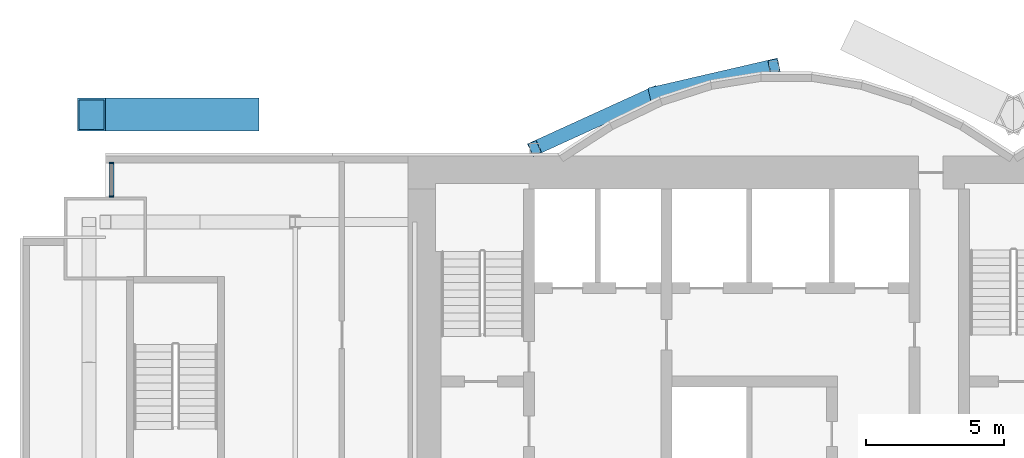
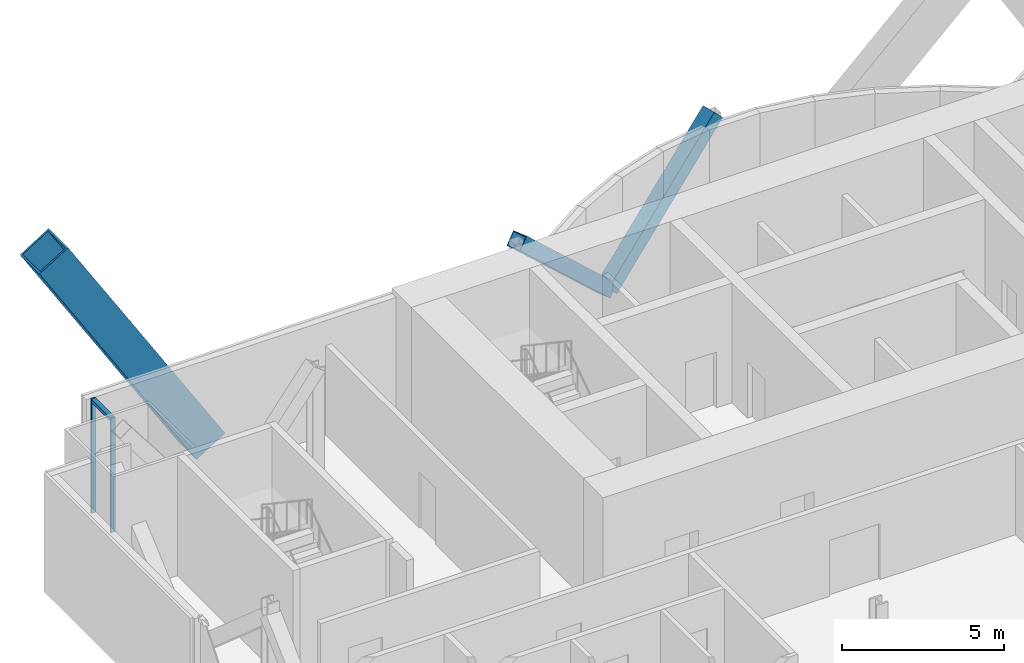
# One storey, part 10 of 21: 6 members, 1 element without a shape of its own.
"""IFC4 building model written with IfcOpenShell, lengths in metres."""

from ifc_helpers import new_model, si_unit, direction, frame, origin, origin_2d, place, context, subcontext, project, spatial, rectangle, hollow_rectangle, extrude, material, material_profile, profile_set, type_object, element, aggregate, save


model = new_model("IFC4")

# Units and contexts
model_context = context("Model", 3, precision=1e-05, world=origin(), true_north=direction((0.0, 1.0)))
body_context = subcontext(model_context, "Body", "Model", "MODEL_VIEW")
ifc_project = project(units=[si_unit("LENGTHUNIT", "METRE"), si_unit("AREAUNIT", "SQUARE_METRE"), si_unit("VOLUMEUNIT", "CUBIC_METRE"), si_unit("PLANEANGLEUNIT", "RADIAN"), si_unit("MASSUNIT", "GRAM", prefix="KILO")], contexts=[model_context])

# Site, building, storey
site_placement = place(None, origin())
site = spatial("IfcSite", under=ifc_project, at=site_placement, CompositionType="ELEMENT")
building_placement = place(site_placement, origin())
building = spatial("IfcBuilding", under=site, at=building_placement, Name="Bicima Exchange Tower", CompositionType="ELEMENT")
storey_placement = place(building_placement, frame((0.0, 0.0, 80.0)))
storey = spatial("IfcBuildingStorey", under=building, at=storey_placement, Name="L16", CompositionType="ELEMENT", Elevation=80.0)

# Member
ifc_material_1 = material(Name="Steel ASTM A572 Gr 50", Category="steel")
ifc_material_profile_1 = material_profile(ifc_material_1, hollow_rectangle(XDim=1.199951171875, YDim=1.199951171875, WallThickness=0.070068359375, at=origin_2d()))
ifc_profile_set_1 = profile_set([ifc_material_profile_1], Name="Steel ASTM A572 Gr 50")
member_type_1 = type_object("IfcMemberType", Name="Exo mega brace BOX 1200x1200x70", PredefinedType="BRACE", material=ifc_profile_set_1)
member_1_placement = place(storey_placement, frame((-27.916748046875, 1.5, 0.074951171875), z_axis=(-0.53034701569, 0.0, 0.847780657334), x_axis=(0.0, -1.0, 0.0)))
element("IfcMember", 1, at=member_1_placement, inside=storey, type_object=member_type_1, Name="Exo mega brace rear", PredefinedType="BRACE", context=body_context, shape_type="SweptSolid", body=[
    extrude(hollow_rectangle(XDim=1.199951171875, YDim=1.199951171875, WallThickness=0.070068359375, at=origin_2d()), origin(), (0.0, 0.0, 1.0), 10.527587890625),
])

# Curtain wall, members
ifc_material_2 = material(Name="Anodised bronze aluminium", Category="aluminium")
curtain_wall_type = type_object("IfcCurtainWallType", Name="Front glass wall", PredefinedType="NOTDEFINED", material=ifc_material_2)
curtain_wall_placement = place(storey_placement, origin())
curtain_wall = element("IfcCurtainWall", 2, at=curtain_wall_placement, inside=storey, type_object=curtain_wall_type, Name="Front glass wall L16 run 1", PredefinedType="NOTDEFINED")
ifc_material_profile_2 = material_profile(ifc_material_2, rectangle(XDim=0.159912109375, YDim=0.06005859375, at=origin_2d()))
ifc_profile_set_2 = profile_set([ifc_material_profile_2], Name="Anodised bronze aluminium")
member_type_2 = type_object("IfcMemberType", Name="Front glass wall mullion 60 x 160", PredefinedType="MULLION", material=ifc_profile_set_2)
member_2_placement = place(storey_placement, frame((-32.77001953125, -0.260009765625, 0.0), z_axis=(0.0, 0.0, 1.0), x_axis=(1.0, 0.0, 0.0)))
member_2 = element("IfcMember", 3, at=member_2_placement, type_object=member_type_2, Name="Front glass wall mullion 1", PredefinedType="MULLION", context=body_context, shape_type="SweptSolid", body=[
    extrude(rectangle(XDim=0.159912109375, YDim=0.06005859375, at=origin_2d()), origin(), (0.0, 0.0, 1.0), 4.300048828125),
])
member_3_placement = place(storey_placement, frame((-32.77001953125, -1.469970703125, 0.0), z_axis=(0.0, 0.0, 1.0), x_axis=(1.0, 0.0, 0.0)))
member_3 = element("IfcMember", 4, at=member_3_placement, type_object=member_type_2, Name="Front glass wall mullion 2", PredefinedType="MULLION", context=body_context, shape_type="SweptSolid", body=[
    extrude(rectangle(XDim=0.159912109375, YDim=0.06005859375, at=origin_2d()), origin(), (0.0, 0.0, 1.0), 4.300048828125),
])
ifc_material_profile_3 = material_profile(ifc_material_2, rectangle(XDim=0.159912109375, YDim=0.139892578125, at=origin_2d()))
ifc_profile_set_3 = profile_set([ifc_material_profile_3], Name="Anodised bronze aluminium")
member_type_3 = type_object("IfcMemberType", Name="Front glass wall transom 140 x 160", PredefinedType="USERDEFINED", material=ifc_profile_set_3)
member_4_placement = place(storey_placement, frame((-32.77001953125, -0.2900390625, 4.22998046875), z_axis=(0.0, -1.0, 0.0), x_axis=(1.0, 0.0, 0.0)))
member_4 = element("IfcMember", 5, at=member_4_placement, type_object=member_type_3, Name="Front glass wall transom 1.1", ObjectType="TRANSOM", PredefinedType="USERDEFINED", context=body_context, shape_type="SweptSolid", body=[
    extrude(rectangle(XDim=0.159912109375, YDim=0.139892578125, at=origin_2d()), origin(), (0.0, 0.0, 1.0), 1.14990234375),
])
aggregate(curtain_wall, [member_2, member_3, member_4])

# Members
ifc_material_profile_4 = material_profile(ifc_material_1, hollow_rectangle(XDim=0.508056640625, YDim=0.508056640625, WallThickness=0.017822265625, at=origin_2d()))
ifc_profile_set_4 = profile_set([ifc_material_profile_4], Name="Steel ASTM A572 Gr 50")
member_type_4 = type_object("IfcMemberType", Name="Mega brace HSS20x20x3/4", PredefinedType="BRACE", material=ifc_profile_set_4)
member_5_placement = place(storey_placement, frame((-13.050048828125, 2.262451171875, 0.0), z_axis=(0.686212303743, 0.158786245837, 0.709858860848), x_axis=(-0.225438503722, 0.974257399787, 0.0)))
element("IfcMember", 6, at=member_5_placement, inside=storey, type_object=member_type_4, Name="Mega brace rexo", PredefinedType="BRACE", context=body_context, shape_type="SweptSolid", body=[
    extrude(hollow_rectangle(XDim=0.508056640625, YDim=0.508056640625, WallThickness=0.017822265625, at=origin_2d()), origin(), (0.0, 0.0, 1.0), 6.33935546875),
])
member_6_placement = place(storey_placement, frame((-13.050048828125, 2.262451171875, 0.0), z_axis=(-0.662507516739, -0.302231638101, 0.685375683254), x_axis=(0.415045223819, -0.909800781592, 0.0)))
element("IfcMember", 7, at=member_6_placement, inside=storey, type_object=member_type_4, Name="Mega brace rexo", PredefinedType="BRACE", context=body_context, shape_type="SweptSolid", body=[
    extrude(hollow_rectangle(XDim=0.508056640625, YDim=0.508056640625, WallThickness=0.017822265625, at=origin_2d()), origin(), (0.0, 0.0, 1.0), 6.565673828125),
])

save(model, "model.ifc")
